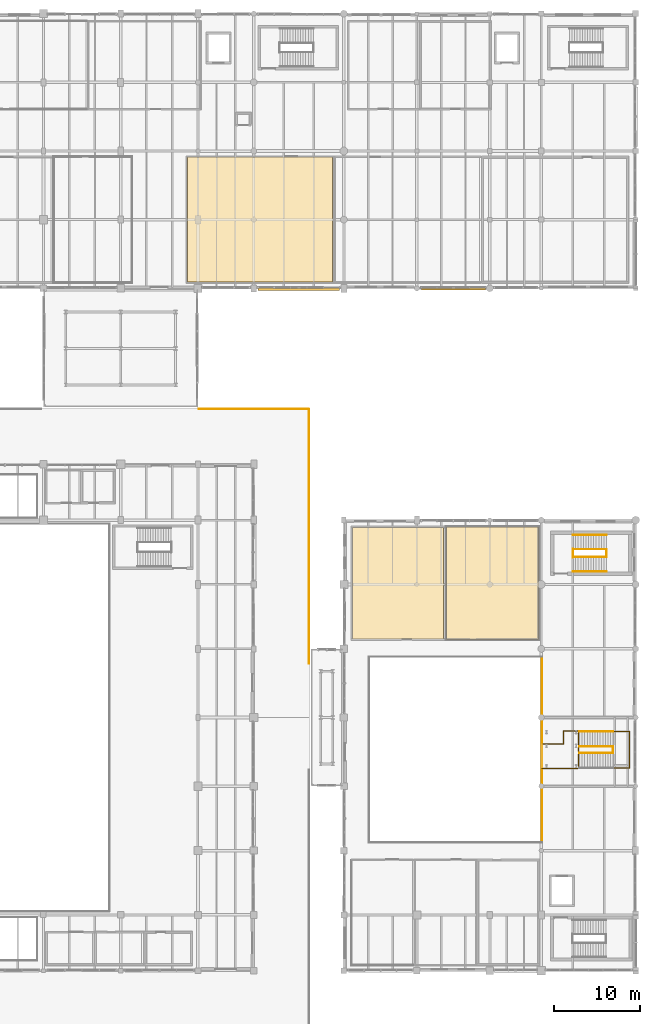
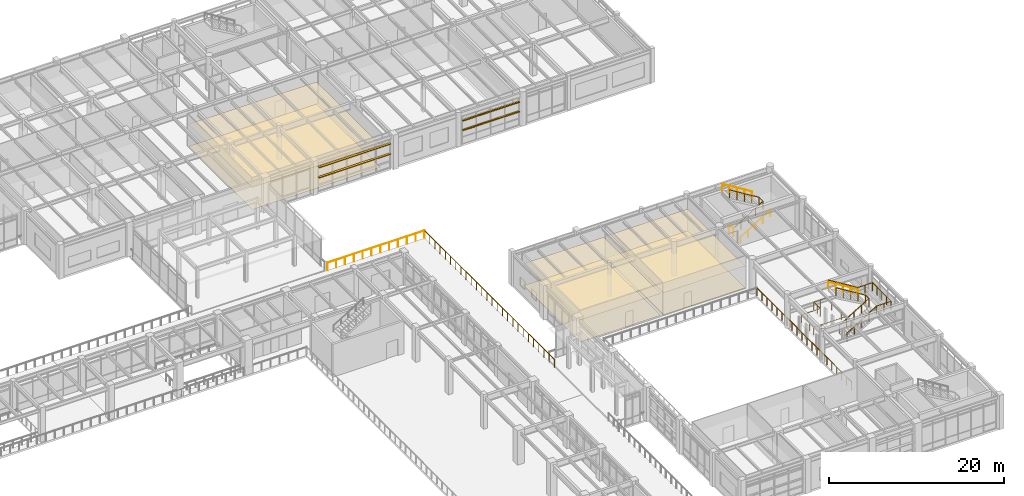
# One storey, part 199 of 200: 11 railings, 6 coverings, 4 shading devices.
"""IFC4 building model written with IfcOpenShell, lengths in metres."""

from ifc_helpers import new_model, si_unit, direction, frame, origin, origin_2d, place, context, subcontext, project, spatial, polyline, rectangle, circle, outline, extrude, material, layer, layer_set, type_object, element, save


model = new_model("IFC4")

# Units and contexts
model_context = context("Model", 3, precision=1e-05, world=origin(), true_north=direction((0.0, 1.0)))
body_context = subcontext(model_context, "Body", "Model", "MODEL_VIEW")
ifc_project = project(units=[si_unit("LENGTHUNIT", "METRE"), si_unit("AREAUNIT", "SQUARE_METRE"), si_unit("VOLUMEUNIT", "CUBIC_METRE"), si_unit("PLANEANGLEUNIT", "RADIAN"), si_unit("MASSUNIT", "GRAM", prefix="KILO"), si_unit("THERMODYNAMICTEMPERATUREUNIT", "KELVIN"), si_unit("POWERUNIT", "WATT")], contexts=[model_context])

# Site, building, storey
site_placement = place(None, origin())
site = spatial("IfcSite", under=ifc_project, at=site_placement, CompositionType="ELEMENT")
building_placement = place(site_placement, origin())
building = spatial("IfcBuilding", under=site, at=building_placement, Name="Tepalcoro Natatorium and Aquatics Centre", CompositionType="ELEMENT")
storey_placement = place(building_placement, frame((0.0, 0.0, 5.39990234375)))
storey = spatial("IfcBuildingStorey", under=building, at=storey_placement, Name="L01", CompositionType="ELEMENT", Elevation=5.39990234375)

# Railing
ifc_material_1 = material(Name="Marine-Grade Brushed Stainless Steel AISI 316L", Category="steel")
railing_type_1 = type_object("IfcRailingType", Name="BL_GLASS_1100", PredefinedType="BALUSTRADE", material=ifc_material_1)
railing_1_placement = place(storey_placement, frame((165.080078125, 21.419921875, 0.0)))
element("IfcRailing", 1, at=railing_1_placement, inside=storey, type_object=railing_type_1, Name="V2 L01 Diving Well Gallery Balustrade (E)", PredefinedType="BALUSTRADE", context=body_context, shape_type="SweptSolid", body=[
    extrude(circle(Radius=0.02392578125, at=origin_2d()), frame((0.0, 0.0, 1.09619140625), z_axis=(0.0, 1.0, 0.0), x_axis=(-1.0, 0.0, 0.0)), (0.0, 0.0, 1.0), 21.66015625),
    extrude(circle(Radius=0.02099609375, at=origin_2d()), origin(), (0.0, 0.0, 1.0), 1.072021484375),
    extrude(circle(Radius=0.02099609375, at=origin_2d()), frame((0.0, 1.139892578125, 0.0)), (0.0, 0.0, 1.0), 1.072021484375),
    extrude(circle(Radius=0.02099609375, at=origin_2d()), frame((0.0, 2.280029296875, 0.0)), (0.0, 0.0, 1.0), 1.072021484375),
    extrude(circle(Radius=0.02099609375, at=origin_2d()), frame((0.0, 3.419921875, 0.0)), (0.0, 0.0, 1.0), 1.072021484375),
    extrude(circle(Radius=0.02099609375, at=origin_2d()), frame((0.0, 4.56005859375, 0.0)), (0.0, 0.0, 1.0), 1.072021484375),
    extrude(circle(Radius=0.02099609375, at=origin_2d()), frame((0.0, 5.699951171875, 0.0)), (0.0, 0.0, 1.0), 1.072021484375),
    extrude(circle(Radius=0.02099609375, at=origin_2d()), frame((0.0, 6.840087890625, 0.0)), (0.0, 0.0, 1.0), 1.072021484375),
    extrude(circle(Radius=0.02099609375, at=origin_2d()), frame((0.0, 7.97998046875, 0.0)), (0.0, 0.0, 1.0), 1.072021484375),
    extrude(circle(Radius=0.02099609375, at=origin_2d()), frame((0.0, 9.1201171875, 0.0)), (0.0, 0.0, 1.0), 1.072021484375),
    extrude(circle(Radius=0.02099609375, at=origin_2d()), frame((0.0, 10.260009765625, 0.0)), (0.0, 0.0, 1.0), 1.072021484375),
    extrude(circle(Radius=0.02099609375, at=origin_2d()), frame((0.0, 11.400146484375, 0.0)), (0.0, 0.0, 1.0), 1.072021484375),
    extrude(circle(Radius=0.02099609375, at=origin_2d()), frame((0.0, 12.5400390625, 0.0)), (0.0, 0.0, 1.0), 1.072021484375),
    extrude(circle(Radius=0.02099609375, at=origin_2d()), frame((0.0, 13.68017578125, 0.0)), (0.0, 0.0, 1.0), 1.072021484375),
    extrude(circle(Radius=0.02099609375, at=origin_2d()), frame((0.0, 14.820068359375, 0.0)), (0.0, 0.0, 1.0), 1.072021484375),
    extrude(circle(Radius=0.02099609375, at=origin_2d()), frame((0.0, 15.960205078125, 0.0)), (0.0, 0.0, 1.0), 1.072021484375),
    extrude(circle(Radius=0.02099609375, at=origin_2d()), frame((0.0, 17.10009765625, 0.0)), (0.0, 0.0, 1.0), 1.072021484375),
    extrude(circle(Radius=0.02099609375, at=origin_2d()), frame((0.0, 18.240234375, 0.0)), (0.0, 0.0, 1.0), 1.072021484375),
    extrude(circle(Radius=0.02099609375, at=origin_2d()), frame((0.0, 19.380126953125, 0.0)), (0.0, 0.0, 1.0), 1.072021484375),
    extrude(circle(Radius=0.02099609375, at=origin_2d()), frame((0.0, 20.520263671875, 0.0)), (0.0, 0.0, 1.0), 1.072021484375),
    extrude(circle(Radius=0.02099609375, at=origin_2d()), frame((0.0, 21.66015625, 0.0)), (0.0, 0.0, 1.0), 1.072021484375),
])

# Coverings
ifc_material_2 = material(Name="Perforated Corrosion-Resistant Acoustic Aluminium Baffle Ceiling", Category="aluminium")
ifc_layer_1 = layer(ifc_material_2, 0.044921875)
ifc_layer_set_1 = layer_set([ifc_layer_1], Name="Perforated Corrosion-Resistant Acoustic Aluminium Baffle Ceiling")
covering_type_1 = type_object("IfcCoveringType", Name="CL_BAFFLE_120", PredefinedType="CEILING", material=ifc_layer_set_1)
covering_1_placement = place(storey_placement, frame((0.0, 0.0, 3.050048828125)))
element("IfcCovering", 2, at=covering_1_placement, inside=storey, type_object=covering_type_1, Name="National Diving Team Video Replay Lounge Suspended Ceiling", PredefinedType="CEILING", context=body_context, shape_type="SweptSolid", body=[
    extrude(outline(polyline([(143.010009765625, 45.169921875), (143.010009765625, 58.1298828125), (153.590087890625, 58.1298828125), (153.590087890625, 45.169921875), (143.010009765625, 45.169921875)])), origin(), (0.0, 0.0, 1.0), 0.045166015625),
])
covering_2_placement = place(storey_placement, frame((0.0, 0.0, 3.050048828125)))
element("IfcCovering", 3, at=covering_2_placement, inside=storey, type_object=covering_type_1, Name="Press Conference Auditorium (140 Seats) Suspended Ceiling", PredefinedType="CEILING", context=body_context, shape_type="SweptSolid", body=[
    extrude(outline(polyline([(123.7548828125, 86.715087890625), (123.7548828125, 101.284912109375), (140.64501953125, 101.284912109375), (140.64501953125, 86.715087890625), (123.7548828125, 86.715087890625)])), origin(), (0.0, 0.0, 1.0), 0.045166015625),
])
ifc_material_3 = material(Name="Moisture-Resistant Acoustic Gypsum Drywall on Cold-Formed Metal Studs")
ifc_layer_2 = layer(ifc_material_3, 0.030029296875)
ifc_layer_set_2 = layer_set([ifc_layer_2], Name="Moisture-Resistant Acoustic Gypsum Drywall on Cold-Formed Metal Studs")
covering_type_2 = type_object("IfcCoveringType", Name="CL_GYPSUM_30", PredefinedType="CEILING", material=ifc_layer_set_2)
covering_3_placement = place(storey_placement, frame((0.0, 0.0, 3.050048828125)))
element("IfcCovering", 4, at=covering_3_placement, inside=storey, type_object=covering_type_2, Name="Diving Coaches & Physiotherapy Room Suspended Ceiling", PredefinedType="CEILING", context=body_context, shape_type="SweptSolid", body=[
    extrude(outline(polyline([(153.929931640625, 45.090087890625), (153.929931640625, 58.2099609375), (164.669921875, 58.2099609375), (164.669921875, 45.090087890625), (153.929931640625, 45.090087890625)])), origin(), (0.0, 0.0, 1.0), 0.030029296875),
])
ifc_material_4 = material(Name="Slip-Resistant Porcelain Aquatic Deck Tile")
ifc_layer_3 = layer(ifc_material_4, 0.02197265625)
ifc_layer_set_3 = layer_set([ifc_layer_3], Name="Slip-Resistant Porcelain Aquatic Deck Tile")
covering_type_3 = type_object("IfcCoveringType", Name="FL_DECK_TILE_22", PredefinedType="FLOORING", material=ifc_layer_set_3)
covering_4_placement = place(storey_placement, origin())
element("IfcCovering", 5, at=covering_4_placement, inside=storey, type_object=covering_type_3, Name="Diving Coaches & Physiotherapy Room Floor Finish", PredefinedType="FLOORING", context=body_context, shape_type="SweptSolid", body=[
    extrude(outline(polyline([(153.929931640625, 45.090087890625), (153.929931640625, 58.2099609375), (164.669921875, 58.2099609375), (164.669921875, 45.090087890625), (153.929931640625, 45.090087890625)])), origin(), (0.0, 0.0, 1.0), 0.022216796875),
])
ifc_material_5 = material(Name="Chemical-Resistant Quartz-Broadcast Epoxy Flooring")
ifc_layer_4 = layer(ifc_material_5, 0.008056640625)
ifc_layer_set_4 = layer_set([ifc_layer_4], Name="Chemical-Resistant Quartz-Broadcast Epoxy Flooring")
covering_type_4 = type_object("IfcCoveringType", Name="FL_EPOXY_8", PredefinedType="FLOORING", material=ifc_layer_set_4)
covering_5_placement = place(storey_placement, origin())
element("IfcCovering", 6, at=covering_5_placement, inside=storey, type_object=covering_type_4, Name="Press Conference Auditorium (140 Seats) Floor Finish", PredefinedType="FLOORING", context=body_context, shape_type="SweptSolid", body=[
    extrude(outline(polyline([(123.7548828125, 86.715087890625), (123.7548828125, 101.284912109375), (140.64501953125, 101.284912109375), (140.64501953125, 86.715087890625), (123.7548828125, 86.715087890625)])), origin(), (0.0, 0.0, 1.0), 0.008056640625),
])
ifc_layer_5 = layer(ifc_material_4, 0.01806640625)
ifc_layer_set_5 = layer_set([ifc_layer_5], Name="Slip-Resistant Porcelain Aquatic Deck Tile")
covering_type_5 = type_object("IfcCoveringType", Name="FL_TILE_18", PredefinedType="FLOORING", material=ifc_layer_set_5)
covering_6_placement = place(storey_placement, origin())
element("IfcCovering", 7, at=covering_6_placement, inside=storey, type_object=covering_type_5, Name="National Diving Team Video Replay Lounge Floor Finish", PredefinedType="FLOORING", context=body_context, shape_type="SweptSolid", body=[
    extrude(outline(polyline([(143.010009765625, 45.169921875), (143.010009765625, 58.1298828125), (153.590087890625, 58.1298828125), (153.590087890625, 45.169921875), (143.010009765625, 45.169921875)])), origin(), (0.0, 0.0, 1.0), 0.01806640625),
])

# Railings
railing_type_2 = type_object("IfcRailingType", Name="RL_GLASS_1100", PredefinedType="GUARDRAIL", material=ifc_material_1)
railing_2_placement = place(storey_placement, frame((168.699951171875, 54.699951171875, 0.0)))
element("IfcRailing", 8, at=railing_2_placement, inside=storey, type_object=railing_type_2, Name="ST04-L01 Inner Stairwell Guardrail", PredefinedType="GUARDRAIL", context=body_context, shape_type="SweptSolid", body=[
    extrude(circle(Radius=0.02392578125, at=origin_2d()), frame((0.0, 0.0, 1.09619140625), z_axis=(0.851652825334, 0.0, 0.524106349037), x_axis=(0.0, 1.0, 0.0)), (0.0, 0.0, 1.0), 4.57958984375),
    extrude(circle(Radius=0.02392578125, at=origin_2d()), frame((3.900146484375, 0.0, 3.49609375), z_axis=(0.0, 1.0, 0.0), x_axis=(-1.0, 0.0, 0.0)), (0.0, 0.0, 1.0), 0.900146484375),
    extrude(circle(Radius=0.02392578125, at=origin_2d()), frame((3.900146484375, 0.900146484375, 3.49609375), z_axis=(-0.851676621109, 0.0, 0.524067679844), x_axis=(0.0, -1.0, 0.0)), (0.0, 0.0, 1.0), 4.579345703125),
    extrude(circle(Radius=0.02099609375, at=origin_2d()), origin(), (0.0, 0.0, 1.0), 1.072021484375),
    extrude(circle(Radius=0.02099609375, at=origin_2d()), frame((0.97509765625, 0.0, 0.60009765625)), (0.0, 0.0, 1.0), 1.072021484375),
    extrude(circle(Radius=0.02099609375, at=origin_2d()), frame((1.9501953125, 0.0, 1.2001953125)), (0.0, 0.0, 1.0), 1.072021484375),
    extrude(circle(Radius=0.02099609375, at=origin_2d()), frame((2.925048828125, 0.0, 1.800048828125)), (0.0, 0.0, 1.0), 1.072021484375),
    extrude(circle(Radius=0.02099609375, at=origin_2d()), frame((3.900146484375, 0.0, 2.400146484375)), (0.0, 0.0, 1.0), 1.072021484375),
    extrude(circle(Radius=0.02099609375, at=origin_2d()), frame((3.900146484375, 0.900146484375, 2.400146484375)), (0.0, 0.0, 1.0), 1.072021484375),
    extrude(circle(Radius=0.02099609375, at=origin_2d()), frame((2.925048828125, 0.900146484375, 3.0)), (0.0, 0.0, 1.0), 1.072021484375),
    extrude(circle(Radius=0.02099609375, at=origin_2d()), frame((1.9501953125, 0.900146484375, 3.60009765625)), (0.0, 0.0, 1.0), 1.072021484375),
    extrude(circle(Radius=0.02099609375, at=origin_2d()), frame((0.97509765625, 0.900146484375, 4.2001953125)), (0.0, 0.0, 1.0), 1.072021484375),
    extrude(circle(Radius=0.02099609375, at=origin_2d()), frame((0.0, 0.900146484375, 4.800048828125)), (0.0, 0.0, 1.0), 1.072021484375),
])
railing_3_placement = place(storey_placement, frame((168.669921875, 54.659912109375, 0.0)))
element("IfcRailing", 9, at=railing_3_placement, inside=storey, type_object=railing_type_2, Name="ST04-L01 Landing Well Slot Guard", PredefinedType="GUARDRAIL", context=body_context, shape_type="SweptSolid", body=[
    extrude(circle(Radius=0.02392578125, at=origin_2d()), frame((0.0, 0.0, 1.09619140625), z_axis=(0.0, 1.0, 0.0), x_axis=(-1.0, 0.0, 0.0)), (0.0, 0.0, 1.0), 0.97998046875),
    extrude(circle(Radius=0.02099609375, at=origin_2d()), origin(), (0.0, 0.0, 1.0), 1.072021484375),
    extrude(circle(Radius=0.02099609375, at=origin_2d()), frame((0.0, 0.97998046875, 0.0)), (0.0, 0.0, 1.0), 1.072021484375),
])
railing_4_placement = place(storey_placement, frame((169.320068359375, 34.419921875, 2.400146484375)))
element("IfcRailing", 10, at=railing_4_placement, inside=storey, type_object=railing_type_2, Name="7.5m Diving Platform Perimeter Safety Guard", PredefinedType="GUARDRAIL", context=body_context, shape_type="SweptSolid", body=[
    extrude(circle(Radius=0.02392578125, at=origin_2d()), frame((0.0, 0.0, 1.09619140625), z_axis=(0.0, -1.0, 0.0), x_axis=(1.0, 0.0, 0.0)), (0.0, 0.0, 1.0), 4.33984375),
    extrude(circle(Radius=0.02392578125, at=origin_2d()), frame((0.0, -4.33984375, 1.09619140625), z_axis=(-1.0, 0.0, 0.0), x_axis=(0.0, -1.0, 0.0)), (0.0, 0.0, 1.0), 4.239990234375),
    extrude(circle(Radius=0.02392578125, at=origin_2d()), frame((-4.239990234375, -4.33984375, 1.09619140625), z_axis=(0.0, 1.0, 0.0), x_axis=(-1.0, 0.0, 0.0)), (0.0, 0.0, 1.0), 2.83984375),
    extrude(circle(Radius=0.02392578125, at=origin_2d()), frame((-4.239990234375, -1.5, 1.09619140625), z_axis=(1.0, 0.0, 0.0), x_axis=(0.0, 1.0, 0.0)), (0.0, 0.0, 1.0), 2.5),
    extrude(circle(Radius=0.02392578125, at=origin_2d()), frame((-1.739990234375, -1.5, 1.09619140625), z_axis=(0.0, 1.0, 0.0), x_axis=(-1.0, 0.0, 0.0)), (0.0, 0.0, 1.0), 1.5),
    extrude(circle(Radius=0.02392578125, at=origin_2d()), frame((-1.739990234375, 0.0, 1.09619140625), z_axis=(1.0, 0.0, 0.0), x_axis=(0.0, 1.0, 0.0)), (0.0, 0.0, 1.0), 1.739990234375),
    extrude(circle(Radius=0.02099609375, at=origin_2d()), origin(), (0.0, 0.0, 1.0), 1.072021484375),
    extrude(circle(Radius=0.02099609375, at=origin_2d()), frame((0.0, -1.0849609375, 0.0)), (0.0, 0.0, 1.0), 1.072021484375),
    extrude(circle(Radius=0.02099609375, at=origin_2d()), frame((0.0, -2.169921875, 0.0)), (0.0, 0.0, 1.0), 1.072021484375),
    extrude(circle(Radius=0.02099609375, at=origin_2d()), frame((0.0, -3.2548828125, 0.0)), (0.0, 0.0, 1.0), 1.072021484375),
    extrude(circle(Radius=0.02099609375, at=origin_2d()), frame((0.0, -4.33984375, 0.0)), (0.0, 0.0, 1.0), 1.072021484375),
    extrude(circle(Radius=0.02099609375, at=origin_2d()), frame((-1.06005859375, -4.33984375, 0.0)), (0.0, 0.0, 1.0), 1.072021484375),
    extrude(circle(Radius=0.02099609375, at=origin_2d()), frame((-2.1201171875, -4.33984375, 0.0)), (0.0, 0.0, 1.0), 1.072021484375),
    extrude(circle(Radius=0.02099609375, at=origin_2d()), frame((-3.179931640625, -4.33984375, 0.0)), (0.0, 0.0, 1.0), 1.072021484375),
    extrude(circle(Radius=0.02099609375, at=origin_2d()), frame((-4.239990234375, -4.33984375, 0.0)), (0.0, 0.0, 1.0), 1.072021484375),
    extrude(circle(Radius=0.02099609375, at=origin_2d()), frame((-4.239990234375, -3.393310546875, 0.0)), (0.0, 0.0, 1.0), 1.072021484375),
    extrude(circle(Radius=0.02099609375, at=origin_2d()), frame((-4.239990234375, -2.446533203125, 0.0)), (0.0, 0.0, 1.0), 1.072021484375),
    extrude(circle(Radius=0.02099609375, at=origin_2d()), frame((-4.239990234375, -1.5, 0.0)), (0.0, 0.0, 1.0), 1.072021484375),
    extrude(circle(Radius=0.02099609375, at=origin_2d()), frame((-3.40673828125, -1.5, 0.0)), (0.0, 0.0, 1.0), 1.072021484375),
    extrude(circle(Radius=0.02099609375, at=origin_2d()), frame((-2.5732421875, -1.5, 0.0)), (0.0, 0.0, 1.0), 1.072021484375),
    extrude(circle(Radius=0.02099609375, at=origin_2d()), frame((-1.739990234375, -1.5, 0.0)), (0.0, 0.0, 1.0), 1.072021484375),
    extrude(circle(Radius=0.02099609375, at=origin_2d()), frame((-1.739990234375, -0.75, 0.0)), (0.0, 0.0, 1.0), 1.072021484375),
    extrude(circle(Radius=0.02099609375, at=origin_2d()), frame((-1.739990234375, 0.0, 0.0)), (0.0, 0.0, 1.0), 1.072021484375),
    extrude(circle(Radius=0.02099609375, at=origin_2d()), frame((-0.8701171875, 0.0, 0.0)), (0.0, 0.0, 1.0), 1.072021484375),
])
ifc_material_6 = material(Name="Bronze-Anodised Extruded Aluminium Alloy EN AW-6063 T6", Category="aluminium")
railing_type_3 = type_object("IfcRailingType", Name="RL_HAND_900_BRZ", PredefinedType="HANDRAIL", material=ifc_material_6)
railing_5_placement = place(storey_placement, frame((173.360107421875, 34.3701171875, 2.400146484375)))
element("IfcRailing", 11, at=railing_5_placement, inside=storey, type_object=railing_type_3, Name="ST25 Wall Handrail F2", PredefinedType="HANDRAIL", context=body_context, shape_type="SweptSolid", body=[
    extrude(circle(Radius=0.02392578125, at=origin_2d()), frame((0.0, 0.0, 0.8759765625), z_axis=(-0.851676621109, 0.0, 0.524067679844), x_axis=(0.0, -1.0, 0.0)), (0.0, 0.0, 1.0), 4.579345703125),
    extrude(circle(Radius=0.02099609375, at=origin_2d()), origin(), (0.0, 0.0, 1.0), 0.851806640625),
    extrude(circle(Radius=0.02099609375, at=origin_2d()), frame((-0.97509765625, 0.0, 0.60009765625)), (0.0, 0.0, 1.0), 0.851806640625),
    extrude(circle(Radius=0.02099609375, at=origin_2d()), frame((-1.9501953125, 0.0, 1.199951171875)), (0.0, 0.0, 1.0), 0.851806640625),
    extrude(circle(Radius=0.02099609375, at=origin_2d()), frame((-2.925048828125, 0.0, 1.7998046875)), (0.0, 0.0, 1.0), 0.851806640625),
    extrude(circle(Radius=0.02099609375, at=origin_2d()), frame((-3.900146484375, 0.0, 2.39990234375)), (0.0, 0.0, 1.0), 0.851806640625),
])
railing_type_4 = type_object("IfcRailingType", Name="RL_HAND_920_SS", PredefinedType="HANDRAIL", material=ifc_material_1)
railing_6_placement = place(storey_placement, frame((168.699951171875, 53.030029296875, 0.0)))
element("IfcRailing", 12, at=railing_6_placement, inside=storey, type_object=railing_type_4, Name="ST04-L01 Wall Handrail F1", PredefinedType="HANDRAIL", context=body_context, shape_type="SweptSolid", body=[
    extrude(circle(Radius=0.02392578125, at=origin_2d()), frame((0.0, 0.0, 0.89599609375), z_axis=(0.851652825334, 0.0, 0.524106349037), x_axis=(0.0, 1.0, 0.0)), (0.0, 0.0, 1.0), 4.57958984375),
    extrude(circle(Radius=0.02099609375, at=origin_2d()), origin(), (0.0, 0.0, 1.0), 0.871826171875),
    extrude(circle(Radius=0.02099609375, at=origin_2d()), frame((0.97509765625, 0.0, 0.60009765625)), (0.0, 0.0, 1.0), 0.871826171875),
    extrude(circle(Radius=0.02099609375, at=origin_2d()), frame((1.9501953125, 0.0, 1.2001953125)), (0.0, 0.0, 1.0), 0.871826171875),
    extrude(circle(Radius=0.02099609375, at=origin_2d()), frame((2.925048828125, 0.0, 1.800048828125)), (0.0, 0.0, 1.0), 0.871826171875),
    extrude(circle(Radius=0.02099609375, at=origin_2d()), frame((3.900146484375, 0.0, 2.400146484375)), (0.0, 0.0, 1.0), 0.871826171875),
])
railing_7_placement = place(storey_placement, frame((172.60009765625, 57.27001953125, 2.400146484375)))
element("IfcRailing", 13, at=railing_7_placement, inside=storey, type_object=railing_type_4, Name="ST04-L01 Wall Handrail F2", PredefinedType="HANDRAIL", context=body_context, shape_type="SweptSolid", body=[
    extrude(circle(Radius=0.02392578125, at=origin_2d()), frame((0.0, 0.0, 0.89599609375), z_axis=(-0.851676621109, 0.0, 0.524067679844), x_axis=(0.0, -1.0, 0.0)), (0.0, 0.0, 1.0), 4.579345703125),
    extrude(circle(Radius=0.02099609375, at=origin_2d()), origin(), (0.0, 0.0, 1.0), 0.871826171875),
    extrude(circle(Radius=0.02099609375, at=origin_2d()), frame((-0.97509765625, 0.0, 0.60009765625)), (0.0, 0.0, 1.0), 0.871826171875),
    extrude(circle(Radius=0.02099609375, at=origin_2d()), frame((-1.9501953125, 0.0, 1.199951171875)), (0.0, 0.0, 1.0), 0.871826171875),
    extrude(circle(Radius=0.02099609375, at=origin_2d()), frame((-2.925048828125, 0.0, 1.7998046875)), (0.0, 0.0, 1.0), 0.871826171875),
    extrude(circle(Radius=0.02099609375, at=origin_2d()), frame((-3.900146484375, 0.0, 2.39990234375)), (0.0, 0.0, 1.0), 0.871826171875),
])
railing_type_5 = type_object("IfcRailingType", Name="RL_PERF_1100", PredefinedType="GUARDRAIL", material=ifc_material_1)
railing_8_placement = place(storey_placement, frame((137.919921875, 42.280029296875, 0.0)))
element("IfcRailing", 14, at=railing_8_placement, inside=storey, type_object=railing_type_5, Name="V1 L01 Planted Terrace Perimeter Guardrail (E-2)", PredefinedType="GUARDRAIL", context=body_context, shape_type="SweptSolid", body=[
    extrude(circle(Radius=0.02392578125, at=origin_2d()), frame((0.0, 0.0, 1.11572265625), z_axis=(0.0, 1.0, 0.0), x_axis=(-1.0, 0.0, 0.0)), (0.0, 0.0, 1.0), 29.639892578125),
    extrude(circle(Radius=0.02099609375, at=origin_2d()), origin(), (0.0, 0.0, 1.0), 1.091796875),
    extrude(circle(Radius=0.02099609375, at=origin_2d()), frame((0.0, 1.185546875, 0.0)), (0.0, 0.0, 1.0), 1.091796875),
    extrude(circle(Radius=0.02099609375, at=origin_2d()), frame((0.0, 2.37109375, 0.0)), (0.0, 0.0, 1.0), 1.091796875),
    extrude(circle(Radius=0.02099609375, at=origin_2d()), frame((0.0, 3.556884765625, 0.0)), (0.0, 0.0, 1.0), 1.091796875),
    extrude(circle(Radius=0.02099609375, at=origin_2d()), frame((0.0, 4.742431640625, 0.0)), (0.0, 0.0, 1.0), 1.091796875),
    extrude(circle(Radius=0.02099609375, at=origin_2d()), frame((0.0, 5.927978515625, 0.0)), (0.0, 0.0, 1.0), 1.091796875),
    extrude(circle(Radius=0.02099609375, at=origin_2d()), frame((0.0, 7.113525390625, 0.0)), (0.0, 0.0, 1.0), 1.091796875),
    extrude(circle(Radius=0.02099609375, at=origin_2d()), frame((0.0, 8.299072265625, 0.0)), (0.0, 0.0, 1.0), 1.091796875),
    extrude(circle(Radius=0.02099609375, at=origin_2d()), frame((0.0, 9.48486328125, 0.0)), (0.0, 0.0, 1.0), 1.091796875),
    extrude(circle(Radius=0.02099609375, at=origin_2d()), frame((0.0, 10.67041015625, 0.0)), (0.0, 0.0, 1.0), 1.091796875),
    extrude(circle(Radius=0.02099609375, at=origin_2d()), frame((0.0, 11.85595703125, 0.0)), (0.0, 0.0, 1.0), 1.091796875),
    extrude(circle(Radius=0.02099609375, at=origin_2d()), frame((0.0, 13.04150390625, 0.0)), (0.0, 0.0, 1.0), 1.091796875),
    extrude(circle(Radius=0.02099609375, at=origin_2d()), frame((0.0, 14.22705078125, 0.0)), (0.0, 0.0, 1.0), 1.091796875),
    extrude(circle(Radius=0.02099609375, at=origin_2d()), frame((0.0, 15.412841796875, 0.0)), (0.0, 0.0, 1.0), 1.091796875),
    extrude(circle(Radius=0.02099609375, at=origin_2d()), frame((0.0, 16.598388671875, 0.0)), (0.0, 0.0, 1.0), 1.091796875),
    extrude(circle(Radius=0.02099609375, at=origin_2d()), frame((0.0, 17.783935546875, 0.0)), (0.0, 0.0, 1.0), 1.091796875),
    extrude(circle(Radius=0.02099609375, at=origin_2d()), frame((0.0, 18.969482421875, 0.0)), (0.0, 0.0, 1.0), 1.091796875),
    extrude(circle(Radius=0.02099609375, at=origin_2d()), frame((0.0, 20.155029296875, 0.0)), (0.0, 0.0, 1.0), 1.091796875),
    extrude(circle(Radius=0.02099609375, at=origin_2d()), frame((0.0, 21.3408203125, 0.0)), (0.0, 0.0, 1.0), 1.091796875),
    extrude(circle(Radius=0.02099609375, at=origin_2d()), frame((0.0, 22.5263671875, 0.0)), (0.0, 0.0, 1.0), 1.091796875),
    extrude(circle(Radius=0.02099609375, at=origin_2d()), frame((0.0, 23.7119140625, 0.0)), (0.0, 0.0, 1.0), 1.091796875),
    extrude(circle(Radius=0.02099609375, at=origin_2d()), frame((0.0, 24.8974609375, 0.0)), (0.0, 0.0, 1.0), 1.091796875),
    extrude(circle(Radius=0.02099609375, at=origin_2d()), frame((0.0, 26.0830078125, 0.0)), (0.0, 0.0, 1.0), 1.091796875),
    extrude(circle(Radius=0.02099609375, at=origin_2d()), frame((0.0, 27.268798828125, 0.0)), (0.0, 0.0, 1.0), 1.091796875),
    extrude(circle(Radius=0.02099609375, at=origin_2d()), frame((0.0, 28.454345703125, 0.0)), (0.0, 0.0, 1.0), 1.091796875),
    extrude(circle(Radius=0.02099609375, at=origin_2d()), frame((0.0, 29.639892578125, 0.0)), (0.0, 0.0, 1.0), 1.091796875),
])
railing_9_placement = place(storey_placement, frame((137.919921875, 71.919921875, 0.0)))
element("IfcRailing", 15, at=railing_9_placement, inside=storey, type_object=railing_type_5, Name="V1 L01 Planted Terrace Perimeter Guardrail (N-1)", PredefinedType="GUARDRAIL", context=body_context, shape_type="SweptSolid", body=[
    extrude(circle(Radius=0.02392578125, at=origin_2d()), frame((0.0, 0.0, 1.11572265625), z_axis=(-1.0, 0.0, 0.0), x_axis=(0.0, -1.0, 0.0)), (0.0, 0.0, 1.0), 12.7998046875),
    extrude(circle(Radius=0.02099609375, at=origin_2d()), origin(), (0.0, 0.0, 1.0), 1.091796875),
    extrude(circle(Radius=0.02099609375, at=origin_2d()), frame((-1.16357421875, 0.0, 0.0)), (0.0, 0.0, 1.0), 1.091796875),
    extrude(circle(Radius=0.02099609375, at=origin_2d()), frame((-2.3271484375, 0.0, 0.0)), (0.0, 0.0, 1.0), 1.091796875),
    extrude(circle(Radius=0.02099609375, at=origin_2d()), frame((-3.490966796875, 0.0, 0.0)), (0.0, 0.0, 1.0), 1.091796875),
    extrude(circle(Radius=0.02099609375, at=origin_2d()), frame((-4.654541015625, 0.0, 0.0)), (0.0, 0.0, 1.0), 1.091796875),
    extrude(circle(Radius=0.02099609375, at=origin_2d()), frame((-5.818115234375, 0.0, 0.0)), (0.0, 0.0, 1.0), 1.091796875),
    extrude(circle(Radius=0.02099609375, at=origin_2d()), frame((-6.981689453125, 0.0, 0.0)), (0.0, 0.0, 1.0), 1.091796875),
    extrude(circle(Radius=0.02099609375, at=origin_2d()), frame((-8.145263671875, 0.0, 0.0)), (0.0, 0.0, 1.0), 1.091796875),
    extrude(circle(Radius=0.02099609375, at=origin_2d()), frame((-9.308837890625, 0.0, 0.0)), (0.0, 0.0, 1.0), 1.091796875),
    extrude(circle(Radius=0.02099609375, at=origin_2d()), frame((-10.47265625, 0.0, 0.0)), (0.0, 0.0, 1.0), 1.091796875),
    extrude(circle(Radius=0.02099609375, at=origin_2d()), frame((-11.63623046875, 0.0, 0.0)), (0.0, 0.0, 1.0), 1.091796875),
    extrude(circle(Radius=0.02099609375, at=origin_2d()), frame((-12.7998046875, 0.0, 0.0)), (0.0, 0.0, 1.0), 1.091796875),
])
ifc_material_7 = material(Name="Hollow Steel ASTM A500 Grade C (Fy 345 MPa)", Category="steel")
railing_type_6 = type_object("IfcRailingType", Name="RL_STEEL_1100", PredefinedType="GUARDRAIL", material=ifc_material_7)
railing_10_placement = place(storey_placement, frame((169.4599609375, 31.8701171875, 0.0)))
element("IfcRailing", 16, at=railing_10_placement, inside=storey, type_object=railing_type_6, Name="ST25 Inner Stairwell Guardrail", PredefinedType="GUARDRAIL", context=body_context, shape_type="SweptSolid", body=[
    extrude(circle(Radius=0.02392578125, at=origin_2d()), frame((0.0, 0.0, 1.1259765625), z_axis=(0.851652825334, 0.0, 0.524106349037), x_axis=(0.0, 1.0, 0.0)), (0.0, 0.0, 1.0), 4.57958984375),
    extrude(circle(Radius=0.02392578125, at=origin_2d()), frame((3.900146484375, 0.0, 3.52587890625), z_axis=(0.0, 1.0, 0.0), x_axis=(-1.0, 0.0, 0.0)), (0.0, 0.0, 1.0), 0.759765625),
    extrude(circle(Radius=0.02392578125, at=origin_2d()), frame((3.900146484375, 0.759765625, 3.52587890625), z_axis=(-0.851676621109, 0.0, 0.524067679844), x_axis=(0.0, -1.0, 0.0)), (0.0, 0.0, 1.0), 4.579345703125),
    extrude(circle(Radius=0.02099609375, at=origin_2d()), origin(), (0.0, 0.0, 1.0), 1.101806640625),
    extrude(circle(Radius=0.02099609375, at=origin_2d()), frame((0.97509765625, 0.0, 0.60009765625)), (0.0, 0.0, 1.0), 1.101806640625),
    extrude(circle(Radius=0.02099609375, at=origin_2d()), frame((1.9501953125, 0.0, 1.2001953125)), (0.0, 0.0, 1.0), 1.101806640625),
    extrude(circle(Radius=0.02099609375, at=origin_2d()), frame((2.925048828125, 0.0, 1.800048828125)), (0.0, 0.0, 1.0), 1.101806640625),
    extrude(circle(Radius=0.02099609375, at=origin_2d()), frame((3.900146484375, 0.0, 2.400146484375)), (0.0, 0.0, 1.0), 1.101806640625),
    extrude(circle(Radius=0.02099609375, at=origin_2d()), frame((3.900146484375, 0.759765625, 2.400146484375)), (0.0, 0.0, 1.0), 1.101806640625),
    extrude(circle(Radius=0.02099609375, at=origin_2d()), frame((2.925048828125, 0.759765625, 3.0)), (0.0, 0.0, 1.0), 1.101806640625),
    extrude(circle(Radius=0.02099609375, at=origin_2d()), frame((1.9501953125, 0.759765625, 3.60009765625)), (0.0, 0.0, 1.0), 1.101806640625),
    extrude(circle(Radius=0.02099609375, at=origin_2d()), frame((0.97509765625, 0.759765625, 4.2001953125)), (0.0, 0.0, 1.0), 1.101806640625),
    extrude(circle(Radius=0.02099609375, at=origin_2d()), frame((0.0, 0.759765625, 4.800048828125)), (0.0, 0.0, 1.0), 1.101806640625),
])
railing_11_placement = place(storey_placement, frame((169.4599609375, 30.110107421875, 0.0)))
element("IfcRailing", 17, at=railing_11_placement, inside=storey, type_object=railing_type_6, Name="ST25 Feature Stair Outer Guardrail", PredefinedType="GUARDRAIL", context=body_context, shape_type="SweptSolid", body=[
    extrude(circle(Radius=0.02392578125, at=origin_2d()), frame((0.0, 0.0, 1.1259765625), z_axis=(0.851652825334, 0.0, 0.524106349037), x_axis=(0.0, 1.0, 0.0)), (0.0, 0.0, 1.0), 4.57958984375),
    extrude(circle(Radius=0.02392578125, at=origin_2d()), frame((3.900146484375, 0.0, 3.52587890625), z_axis=(1.0, 0.0, 0.0), x_axis=(0.0, 1.0, 0.0)), (0.0, 0.0, 1.0), 1.929931640625),
    extrude(circle(Radius=0.02392578125, at=origin_2d()), frame((5.830078125, 0.0, 3.52587890625), z_axis=(0.0, 1.0, 0.0), x_axis=(-1.0, 0.0, 0.0)), (0.0, 0.0, 1.0), 4.27978515625),
    extrude(circle(Radius=0.02392578125, at=origin_2d()), frame((5.830078125, 4.27978515625, 3.52587890625), z_axis=(-1.0, 0.0, 0.0), x_axis=(0.0, -1.0, 0.0)), (0.0, 0.0, 1.0), 1.929931640625),
    extrude(circle(Radius=0.02392578125, at=origin_2d()), frame((3.900146484375, 4.27978515625, 3.52587890625), z_axis=(-0.851676621109, 0.0, 0.524067679844), x_axis=(0.0, -1.0, 0.0)), (0.0, 0.0, 1.0), 4.579345703125),
    extrude(circle(Radius=0.02099609375, at=origin_2d()), origin(), (0.0, 0.0, 1.0), 1.101806640625),
    extrude(circle(Radius=0.02099609375, at=origin_2d()), frame((0.97509765625, 0.0, 0.60009765625)), (0.0, 0.0, 1.0), 1.101806640625),
    extrude(circle(Radius=0.02099609375, at=origin_2d()), frame((1.9501953125, 0.0, 1.2001953125)), (0.0, 0.0, 1.0), 1.101806640625),
    extrude(circle(Radius=0.02099609375, at=origin_2d()), frame((2.925048828125, 0.0, 1.800048828125)), (0.0, 0.0, 1.0), 1.101806640625),
    extrude(circle(Radius=0.02099609375, at=origin_2d()), frame((3.900146484375, 0.0, 2.400146484375)), (0.0, 0.0, 1.0), 1.101806640625),
    extrude(circle(Radius=0.02099609375, at=origin_2d()), frame((4.865234375, 0.0, 2.400146484375)), (0.0, 0.0, 1.0), 1.101806640625),
    extrude(circle(Radius=0.02099609375, at=origin_2d()), frame((5.830078125, 0.0, 2.400146484375)), (0.0, 0.0, 1.0), 1.101806640625),
    extrude(circle(Radius=0.02099609375, at=origin_2d()), frame((5.830078125, 1.06982421875, 2.400146484375)), (0.0, 0.0, 1.0), 1.101806640625),
    extrude(circle(Radius=0.02099609375, at=origin_2d()), frame((5.830078125, 2.139892578125, 2.400146484375)), (0.0, 0.0, 1.0), 1.101806640625),
    extrude(circle(Radius=0.02099609375, at=origin_2d()), frame((5.830078125, 3.2099609375, 2.400146484375)), (0.0, 0.0, 1.0), 1.101806640625),
    extrude(circle(Radius=0.02099609375, at=origin_2d()), frame((5.830078125, 4.27978515625, 2.400146484375)), (0.0, 0.0, 1.0), 1.101806640625),
    extrude(circle(Radius=0.02099609375, at=origin_2d()), frame((4.865234375, 4.27978515625, 2.400146484375)), (0.0, 0.0, 1.0), 1.101806640625),
    extrude(circle(Radius=0.02099609375, at=origin_2d()), frame((3.900146484375, 4.27978515625, 2.400146484375)), (0.0, 0.0, 1.0), 1.101806640625),
    extrude(circle(Radius=0.02099609375, at=origin_2d()), frame((2.925048828125, 4.27978515625, 3.0)), (0.0, 0.0, 1.0), 1.101806640625),
    extrude(circle(Radius=0.02099609375, at=origin_2d()), frame((1.9501953125, 4.27978515625, 3.60009765625)), (0.0, 0.0, 1.0), 1.101806640625),
    extrude(circle(Radius=0.02099609375, at=origin_2d()), frame((0.97509765625, 4.27978515625, 4.2001953125)), (0.0, 0.0, 1.0), 1.101806640625),
    extrude(circle(Radius=0.02099609375, at=origin_2d()), frame((0.0, 4.27978515625, 4.800048828125)), (0.0, 0.0, 1.0), 1.101806640625),
])

# Shading devices
shading_device_type_1 = type_object("IfcShadingDeviceType", Name="SHD_FIN_BRONZE", PredefinedType="SHUTTER", material=ifc_material_6)
for number, where, z_axis, x_axis, name in (
    (18, (136.75, 85.90625, 2.066650390625), (0.0, 0.0, 1.0), (1.0, 0.0, 0.0), "Solar Shading Brise-Soleil SHD_FIN_BRONZE"),
    (19, (136.75, 85.90625, 3.47998046875), (0.0, 0.0, 1.0), (1.0, 0.0, 0.0), "Solar Shading Brise-Soleil SHD_FIN_BRONZE"),
):
    element("IfcShadingDevice", number, at=place(storey_placement, frame(where, z_axis=z_axis, x_axis=x_axis)), inside=storey, type_object=shading_device_type_1, Name=name, PredefinedType="SHUTTER", context=body_context, shape_type="SweptSolid", body=[
        extrude(rectangle(XDim=9.4599609375, YDim=0.300048828125, at=origin_2d()), origin(), (0.0, 0.0, 1.0), 0.080078125),
    ])
shading_device_type_2 = type_object("IfcShadingDeviceType", Name="SHD_LOUVRE_AL", PredefinedType="JALOUSIE", material=ifc_material_6)
for number, where, z_axis, x_axis, name in (
    (20, (154.75, 85.936279296875, 1.998046875), (0.0, 0.0, 1.0), (1.0, 0.0, 0.0), "Solar Shading Brise-Soleil SHD_LOUVRE_AL"),
    (21, (154.75, 85.936279296875, 3.328125), (0.0, 0.0, 1.0), (1.0, 0.0, 0.0), "Solar Shading Brise-Soleil SHD_LOUVRE_AL"),
):
    element("IfcShadingDevice", number, at=place(storey_placement, frame(where, z_axis=z_axis, x_axis=x_axis)), inside=storey, type_object=shading_device_type_2, Name=name, PredefinedType="JALOUSIE", context=body_context, shape_type="SweptSolid", body=[
        extrude(rectangle(XDim=7.4599609375, YDim=0.239990234375, at=origin_2d()), origin(), (0.0, 0.0, 1.0), 0.080078125),
    ])

save(model, "model.ifc")
